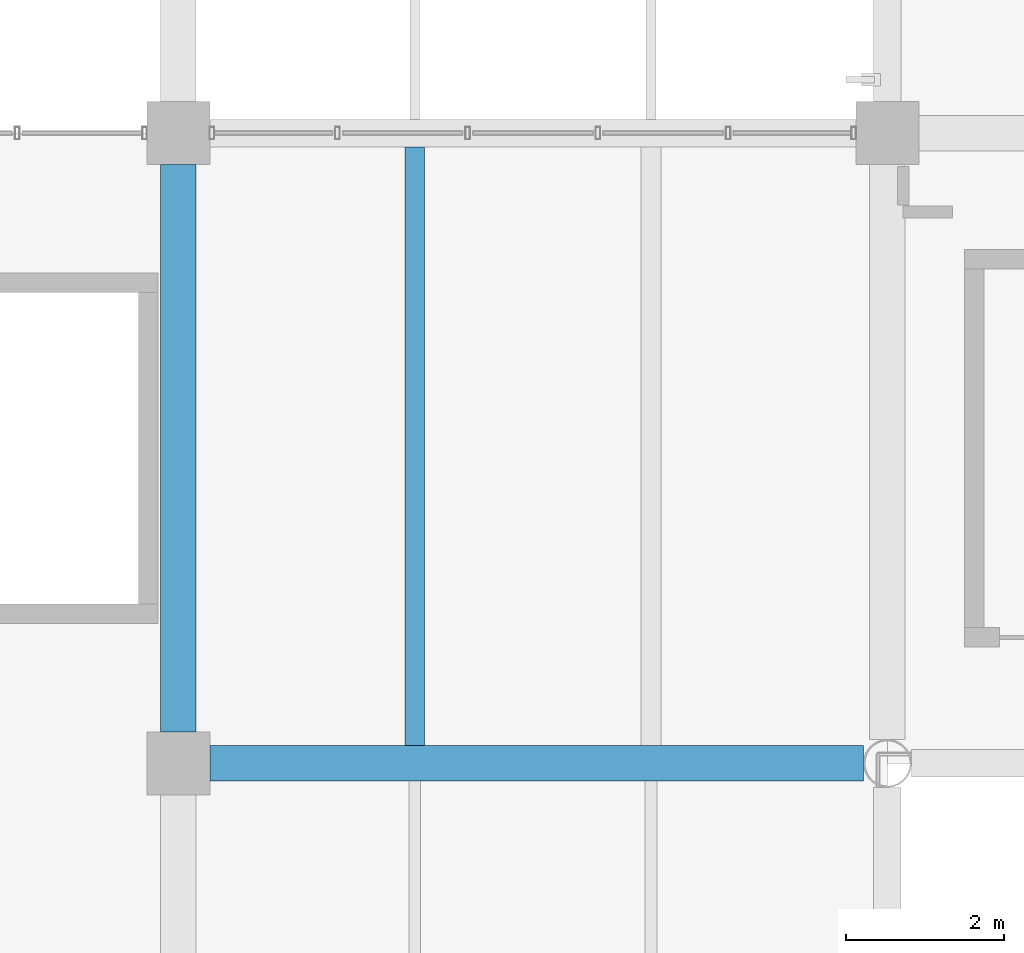
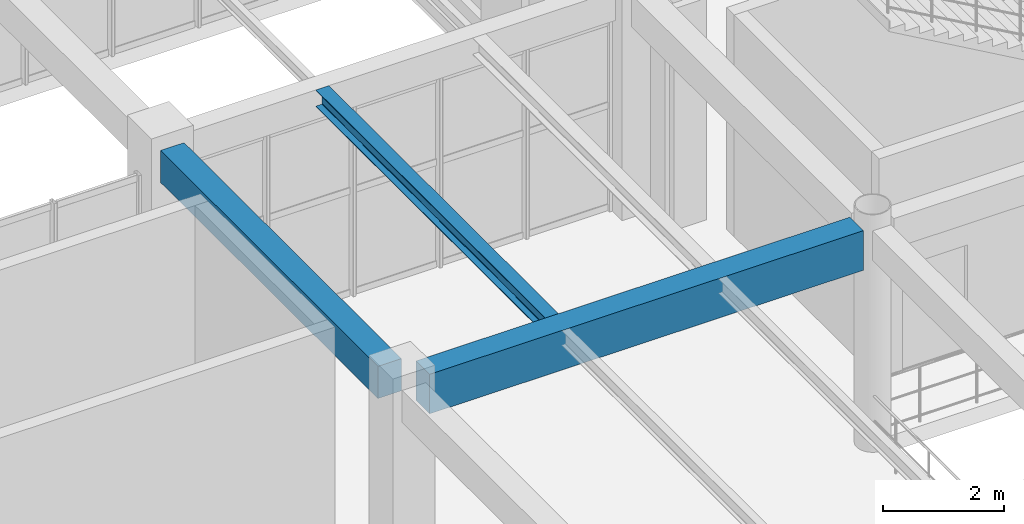
# One storey, part 74 of 178: 3 beams.
"""IFC4 building model written with IfcOpenShell, lengths in metres."""

from ifc_helpers import new_model, si_unit, derived_unit, direction, frame, origin, origin_2d, place, context, subcontext, project, spatial, rectangle, i_section, extrude, material, material_profile, profile_set, type_object, element, save


model = new_model("IFC4")

# Units and contexts
model_context = context("Model", 3, precision=1e-05, world=origin(), true_north=direction((0.0, 1.0)))
body_context = subcontext(model_context, "Body", "Model", "MODEL_VIEW")
ifc_project = project(units=[si_unit("LENGTHUNIT", "METRE"), si_unit("AREAUNIT", "SQUARE_METRE"), si_unit("VOLUMEUNIT", "CUBIC_METRE"), si_unit("PLANEANGLEUNIT", "RADIAN"), si_unit("MASSUNIT", "GRAM", prefix="KILO"), derived_unit("THERMALTRANSMITTANCEUNIT", [(si_unit("MASSUNIT", "GRAM", prefix="KILO"), 1), (si_unit("TIMEUNIT", "SECOND"), -3), (si_unit("THERMODYNAMICTEMPERATUREUNIT", "KELVIN"), -1)])], contexts=[model_context])

# Site, building, storey
site_placement = place(None, origin())
site = spatial("IfcSite", under=ifc_project, at=site_placement, CompositionType="ELEMENT")
building_placement = place(site_placement, origin())
building = spatial("IfcBuilding", under=site, at=building_placement, Name="Zhenchuan Archway Interchange", CompositionType="ELEMENT")
storey_placement = place(building_placement, frame((0.0, 0.0, 5.39990234375)))
storey = spatial("IfcBuildingStorey", under=building, at=storey_placement, Name="L01", CompositionType="ELEMENT", Elevation=5.39990234375)

# Beams
ifc_material_1 = material(Name="Concrete C40", Category="concrete")
ifc_material_profile_1 = material_profile(ifc_material_1, rectangle(XDim=0.449951171875, YDim=0.64990234375, at=origin_2d()), Name="RC 450x650")
ifc_profile_set_1 = profile_set([ifc_material_profile_1], Name="Concrete C40")
beam_type_1 = type_object("IfcBeamType", Name="BM_RC_450x650", PredefinedType="BEAM", material=ifc_profile_set_1)
beam_1_placement = place(storey_placement, frame((27.0, 80.39990234375, 4.18505859375), z_axis=(0.0, 1.0, 0.0), x_axis=(-1.0, 0.0, 0.0)))
element("IfcBeam", 1, at=beam_1_placement, inside=storey, type_object=beam_type_1, Name="Beam 4:L-M (L01)", PredefinedType="BEAM", context=body_context, shape_type="SweptSolid", body=[
    extrude(rectangle(XDim=0.449951171875, YDim=0.64990234375, at=origin_2d()), origin(), (0.0, 0.0, 1.0), 7.2001953125),
])
ifc_material_profile_2 = material_profile(ifc_material_1, rectangle(XDim=0.449951171875, YDim=0.800048828125, at=origin_2d()), Name="RC 450x800")
ifc_profile_set_2 = profile_set([ifc_material_profile_2], Name="Concrete C40")
beam_type_2 = type_object("IfcBeamType", Name="BM_RC_450x800", PredefinedType="BEAM", material=ifc_profile_set_2)
beam_2_placement = place(storey_placement, frame((27.39990234375, 80.0, 4.110107421875), z_axis=(1.0, 0.0, 0.0), x_axis=(0.0, 1.0, 0.0)))
element("IfcBeam", 2, at=beam_2_placement, inside=storey, type_object=beam_type_2, Name="Beam L:4-5 (L01)", PredefinedType="BEAM", context=body_context, shape_type="SweptSolid", body=[
    extrude(rectangle(XDim=0.449951171875, YDim=0.800048828125, at=origin_2d()), origin(), (0.0, 0.0, 1.0), 8.295166015625),
])
ifc_material_2 = material(Name="Steel Q355", Category="steel")
ifc_material_profile_3 = material_profile(ifc_material_2, i_section(OverallWidth=0.25, OverallDepth=0.340087890625, WebThickness=0.009033203125, FlangeThickness=0.013916015625, FilletRadius=0.01806640625, at=origin_2d()), Name="HM 340x250")
ifc_profile_set_3 = profile_set([ifc_material_profile_3], Name="Steel Q355")
beam_type_3 = type_object("IfcBeamType", Name="JST_STL_HM340", PredefinedType="JOIST", material=ifc_profile_set_3)
beam_3_placement = place(storey_placement, frame((30.0, 80.22509765625, 4.340087890625), z_axis=(0.0, 1.0, 0.0), x_axis=(-1.0, 0.0, 0.0)))
element("IfcBeam", 3, at=beam_3_placement, inside=storey, type_object=beam_type_3, Name="Secondary joist 4-5/L-M #1 (L01)", PredefinedType="JOIST", context=body_context, shape_type="SweptSolid", body=[
    extrude(i_section(OverallWidth=0.25, OverallDepth=0.340087890625, WebThickness=0.009033203125, FlangeThickness=0.013916015625, FilletRadius=0.01806640625, at=origin_2d()), origin(), (0.0, 0.0, 1.0), 7.599853515625),
])

save(model, "model.ifc")
